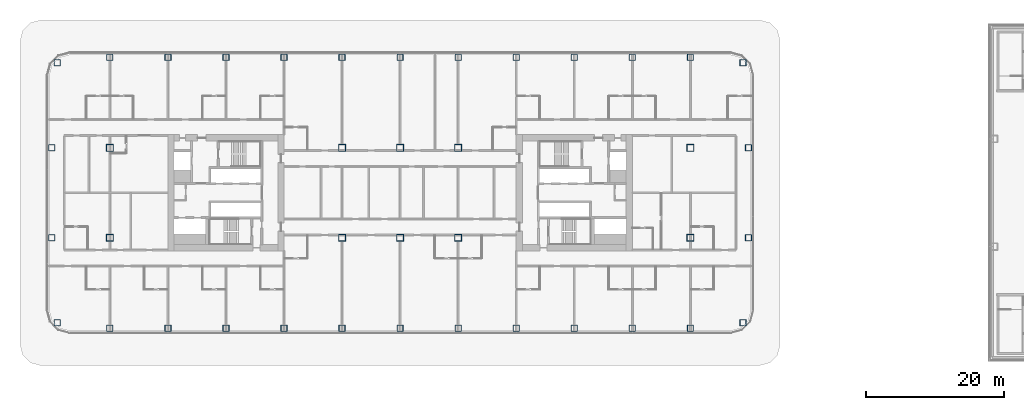
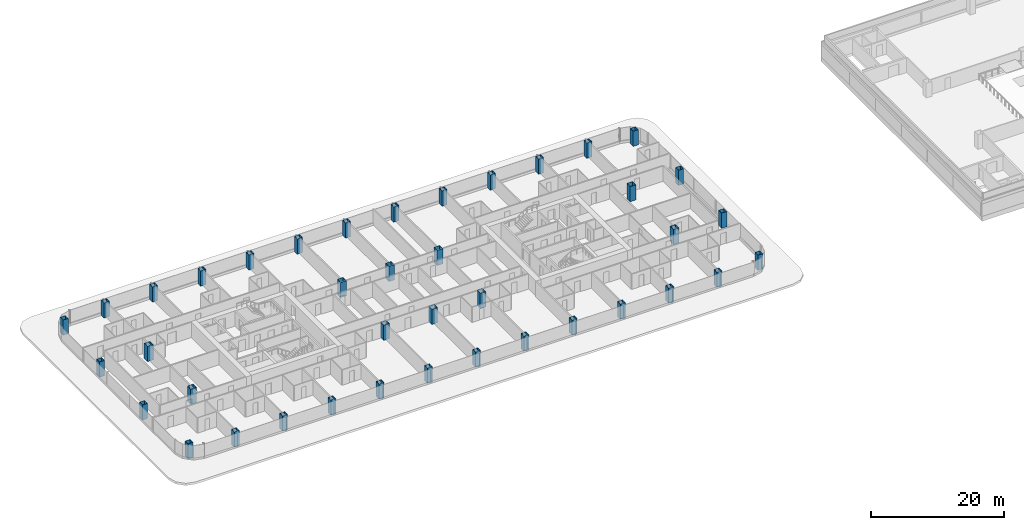
# One storey, part 1 of 42: 40 columns.
"""IFC4 building model written with IfcOpenShell, lengths in metres."""

from ifc_helpers import new_model, si_unit, direction, frame, origin, origin_2d, place, context, subcontext, project, spatial, hollow_rectangle, extrude, material, material_profile, profile_set, type_object, element, save


model = new_model("IFC4")

# Units and contexts
model_context = context("Model", 3, precision=1e-05, world=origin(), true_north=direction((0.0, 1.0)))
body_context = subcontext(model_context, "Body", "Model", "MODEL_VIEW")
ifc_project = project(units=[si_unit("LENGTHUNIT", "METRE"), si_unit("AREAUNIT", "SQUARE_METRE"), si_unit("VOLUMEUNIT", "CUBIC_METRE"), si_unit("PLANEANGLEUNIT", "RADIAN"), si_unit("MASSUNIT", "GRAM", prefix="KILO")], contexts=[model_context])

# Site, building, storey
site_placement = place(None, origin())
site = spatial("IfcSite", under=ifc_project, at=site_placement, CompositionType="ELEMENT")
building_placement = place(site_placement, origin())
building = spatial("IfcBuilding", under=site, at=building_placement, Name="Hakoniwa Tower and Hamabe Station Hall", CompositionType="ELEMENT")
storey_placement = place(building_placement, frame((0.0, 0.0, 19.800048828125)))
storey = spatial("IfcBuildingStorey", under=building, at=storey_placement, Name="L04", CompositionType="ELEMENT", Elevation=19.800048828125)

# Columns
ifc_material_1 = material(Name="Steel SN490C", Category="steel")
ifc_material_profile_1 = material_profile(ifc_material_1, hollow_rectangle(XDim=1.0, YDim=1.0, WallThickness=0.0400390625, at=origin_2d()), Name="BX-1000x1000x40")
ifc_profile_set_1 = profile_set([ifc_material_profile_1], Name="Steel SN490C")
column_type_1 = type_object("IfcColumnType", Name="COLUMN BX-1000x1000x40", PredefinedType="COLUMN", material=ifc_profile_set_1)
for number, where, z_axis, x_axis, name in (
    (1, (-42.0, -6.5, 0.0), (0.0, 0.0, 1.0), (1.0, 0.0, 0.0), "Column B1-2-C1"),
    (2, (-42.0, 6.5, 0.0), (0.0, 0.0, 1.0), (1.0, 0.0, 0.0), "Column B1-2-E1"),
    (3, (-8.39990234375, -6.5, 0.0), (0.0, 0.0, 1.0), (1.0, 0.0, 0.0), "Column B1-6-C1"),
    (4, (-8.39990234375, 6.5, 0.0), (0.0, 0.0, 1.0), (1.0, 0.0, 0.0), "Column B1-6-E1"),
    (5, (0.0, -6.5, 0.0), (0.0, 0.0, 1.0), (1.0, 0.0, 0.0), "Column B1-7-C1"),
    (6, (0.0, 6.5, 0.0), (0.0, 0.0, 1.0), (1.0, 0.0, 0.0), "Column B1-7-E1"),
    (7, (8.39990234375, -6.5, 0.0), (0.0, 0.0, 1.0), (1.0, 0.0, 0.0), "Column B1-8-C1"),
    (8, (8.39990234375, 6.5, 0.0), (0.0, 0.0, 1.0), (1.0, 0.0, 0.0), "Column B1-8-E1"),
    (9, (42.0, -6.5, 0.0), (0.0, 0.0, 1.0), (1.0, 0.0, 0.0), "Column B1-12-C1"),
    (10, (42.0, 6.5, 0.0), (0.0, 0.0, 1.0), (1.0, 0.0, 0.0), "Column B1-12-E1"),
):
    element("IfcColumn", number, at=place(storey_placement, frame(where, z_axis=z_axis, x_axis=x_axis)), inside=storey, type_object=column_type_1, Name=name, PredefinedType="COLUMN", context=body_context, shape_type="SweptSolid", body=[
        extrude(hollow_rectangle(XDim=1.0, YDim=1.0, WallThickness=0.0400390625, at=origin_2d()), origin(), (0.0, 0.0, 1.0), 2.800048828125),
    ])
ifc_material_2 = material(Name="Steel SN490C", Category="steel")
ifc_material_profile_2 = material_profile(ifc_material_2, hollow_rectangle(XDim=0.89990234375, YDim=0.89990234375, WallThickness=0.035888671875, at=origin_2d()), Name="BX-900x900x36")
ifc_profile_set_2 = profile_set([ifc_material_profile_2], Name="Steel SN490C")
column_type_2 = type_object("IfcColumnType", Name="COLUMN BX-900x900x36", PredefinedType="COLUMN", material=ifc_profile_set_2)
for number, where, z_axis, x_axis, name in (
    (11, (-49.60302734375, -18.802978515625, 0.0), (0.0, 0.0, 1.0), (1.0, 0.0, 0.0), "Column B1-1-A1"),
    (12, (-50.39990234375, -6.5, 0.0), (0.0, 0.0, 1.0), (1.0, 0.0, 0.0), "Column B1-1-C1"),
    (13, (-50.39990234375, 6.5, 0.0), (0.0, 0.0, 1.0), (1.0, 0.0, 0.0), "Column B1-1-E1"),
    (14, (-49.60302734375, 18.802978515625, 0.0), (0.0, 0.0, 1.0), (1.0, 0.0, 0.0), "Column B1-1-G1"),
    (15, (-42.0, -19.60009765625, 0.0), (0.0, 0.0, 1.0), (1.0, 0.0, 0.0), "Column B1-2-A1"),
    (16, (-42.0, 19.60009765625, 0.0), (0.0, 0.0, 1.0), (1.0, 0.0, 0.0), "Column B1-2-G1"),
    (17, (-33.60009765625, -19.60009765625, 0.0), (0.0, 0.0, 1.0), (1.0, 0.0, 0.0), "Column B1-3-A1"),
    (18, (-33.60009765625, 19.60009765625, 0.0), (0.0, 0.0, 1.0), (1.0, 0.0, 0.0), "Column B1-3-G1"),
    (19, (-25.199951171875, -19.60009765625, 0.0), (0.0, 0.0, 1.0), (1.0, 0.0, 0.0), "Column B1-4-A1"),
    (20, (-25.199951171875, 19.60009765625, 0.0), (0.0, 0.0, 1.0), (1.0, 0.0, 0.0), "Column B1-4-G1"),
    (21, (-16.800048828125, -19.60009765625, 0.0), (0.0, 0.0, 1.0), (1.0, 0.0, 0.0), "Column B1-5-A1"),
    (22, (-16.800048828125, 19.60009765625, 0.0), (0.0, 0.0, 1.0), (1.0, 0.0, 0.0), "Column B1-5-G1"),
    (23, (-8.39990234375, -19.60009765625, 0.0), (0.0, 0.0, 1.0), (1.0, 0.0, 0.0), "Column B1-6-A1"),
    (24, (-8.39990234375, 19.60009765625, 0.0), (0.0, 0.0, 1.0), (1.0, 0.0, 0.0), "Column B1-6-G1"),
    (25, (0.0, -19.60009765625, 0.0), (0.0, 0.0, 1.0), (1.0, 0.0, 0.0), "Column B1-7-A1"),
    (26, (0.0, 19.60009765625, 0.0), (0.0, 0.0, 1.0), (1.0, 0.0, 0.0), "Column B1-7-G1"),
    (27, (8.39990234375, -19.60009765625, 0.0), (0.0, 0.0, 1.0), (1.0, 0.0, 0.0), "Column B1-8-A1"),
    (28, (8.39990234375, 19.60009765625, 0.0), (0.0, 0.0, 1.0), (1.0, 0.0, 0.0), "Column B1-8-G1"),
    (29, (16.800048828125, -19.60009765625, 0.0), (0.0, 0.0, 1.0), (1.0, 0.0, 0.0), "Column B1-9-A1"),
    (30, (16.800048828125, 19.60009765625, 0.0), (0.0, 0.0, 1.0), (1.0, 0.0, 0.0), "Column B1-9-G1"),
    (31, (25.199951171875, -19.60009765625, 0.0), (0.0, 0.0, 1.0), (1.0, 0.0, 0.0), "Column B1-10-A1"),
    (32, (25.199951171875, 19.60009765625, 0.0), (0.0, 0.0, 1.0), (1.0, 0.0, 0.0), "Column B1-10-G1"),
    (33, (33.60009765625, -19.60009765625, 0.0), (0.0, 0.0, 1.0), (1.0, 0.0, 0.0), "Column B1-11-A1"),
    (34, (33.60009765625, 19.60009765625, 0.0), (0.0, 0.0, 1.0), (1.0, 0.0, 0.0), "Column B1-11-G1"),
    (35, (42.0, -19.60009765625, 0.0), (0.0, 0.0, 1.0), (1.0, 0.0, 0.0), "Column B1-12-A1"),
    (36, (42.0, 19.60009765625, 0.0), (0.0, 0.0, 1.0), (1.0, 0.0, 0.0), "Column B1-12-G1"),
    (37, (49.60302734375, -18.802978515625, 0.0), (0.0, 0.0, 1.0), (1.0, 0.0, 0.0), "Column B1-13-A1"),
    (38, (50.39990234375, -6.5, 0.0), (0.0, 0.0, 1.0), (1.0, 0.0, 0.0), "Column B1-13-C1"),
    (39, (50.39990234375, 6.5, 0.0), (0.0, 0.0, 1.0), (1.0, 0.0, 0.0), "Column B1-13-E1"),
    (40, (49.60302734375, 18.802978515625, 0.0), (0.0, 0.0, 1.0), (1.0, 0.0, 0.0), "Column B1-13-G1"),
):
    element("IfcColumn", number, at=place(storey_placement, frame(where, z_axis=z_axis, x_axis=x_axis)), inside=storey, type_object=column_type_2, Name=name, PredefinedType="COLUMN", context=body_context, shape_type="SweptSolid", body=[
        extrude(hollow_rectangle(XDim=0.89990234375, YDim=0.89990234375, WallThickness=0.035888671875, at=origin_2d()), origin(), (0.0, 0.0, 1.0), 2.800048828125),
    ])

save(model, "model.ifc")
